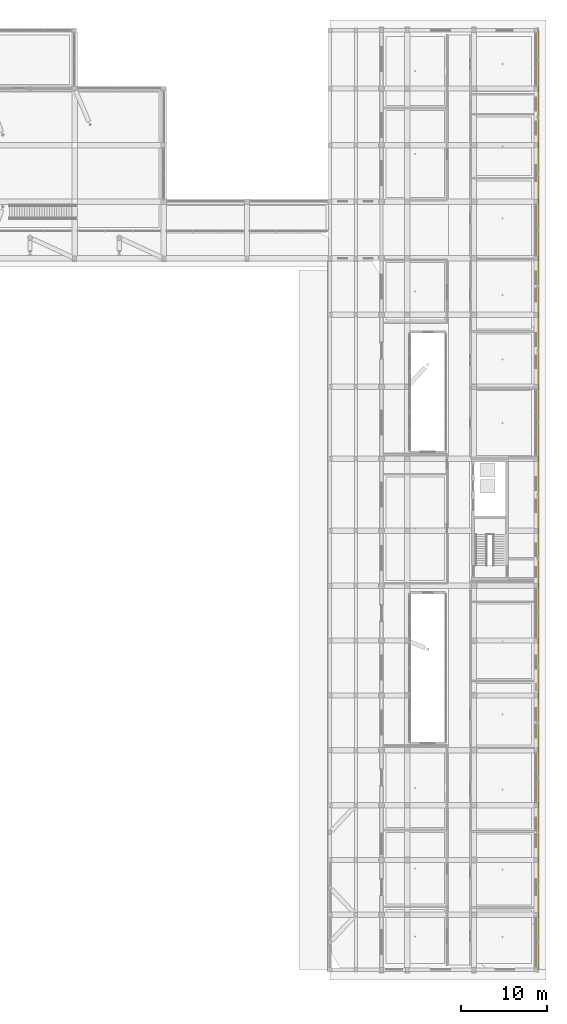
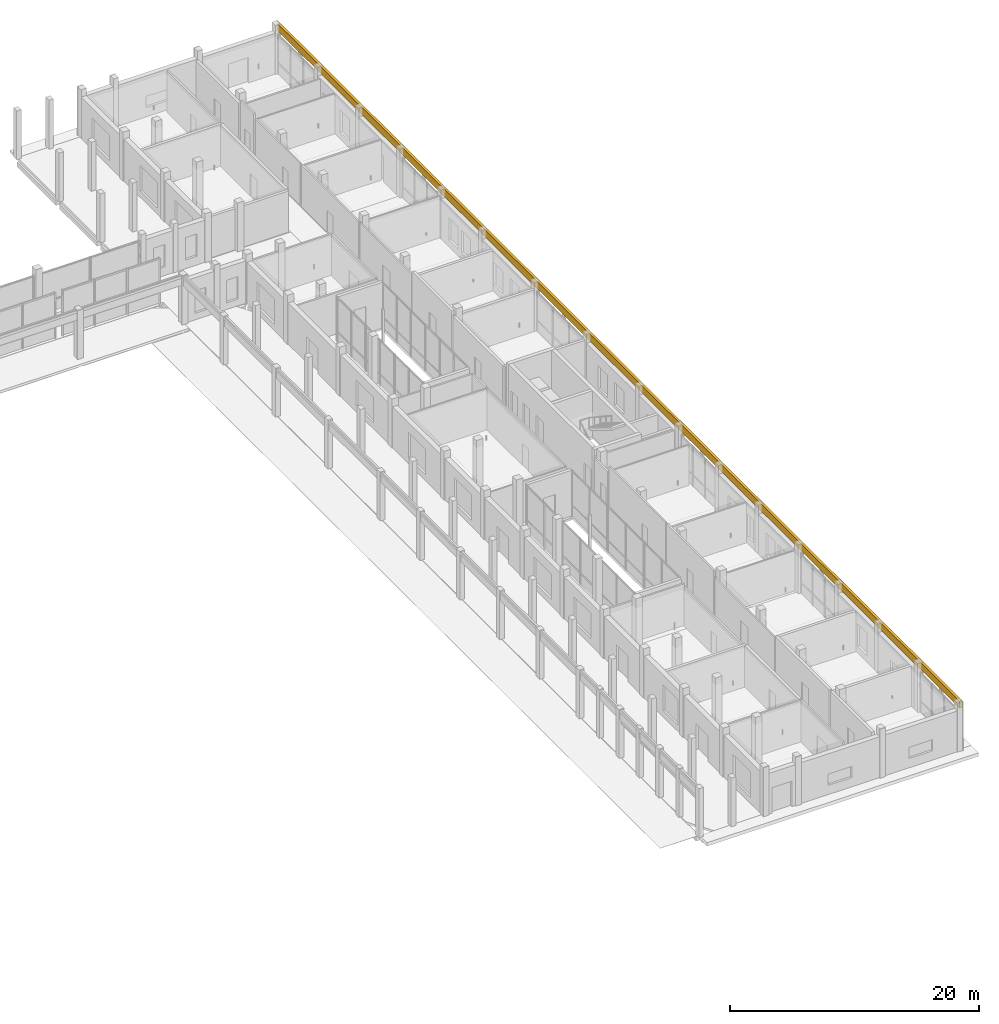
# One storey, part 86 of 88: 1 covering.
"""IFC4 building model written with IfcOpenShell, lengths in metres."""

from ifc_helpers import new_model, si_unit, derived_unit, direction, frame, origin, origin_2d, place, context, subcontext, project, spatial, rectangle, extrude, material, layer, layer_set, type_object, element, save


model = new_model("IFC4")

# Units and contexts
model_context = context("Model", 3, precision=1e-05, world=origin(), true_north=direction((0.0, 1.0)))
body_context = subcontext(model_context, "Body", "Model", "MODEL_VIEW")
ifc_project = project(units=[si_unit("LENGTHUNIT", "METRE"), si_unit("AREAUNIT", "SQUARE_METRE"), si_unit("VOLUMEUNIT", "CUBIC_METRE"), si_unit("PLANEANGLEUNIT", "RADIAN"), si_unit("MASSUNIT", "GRAM", prefix="KILO"), derived_unit("THERMALTRANSMITTANCEUNIT", [(si_unit("POWERUNIT", "WATT"), 1), (si_unit("LENGTHUNIT", "METRE"), -2), (si_unit("THERMODYNAMICTEMPERATUREUNIT", "KELVIN"), -1)])], contexts=[model_context])

# Site, building, storey
site_placement = place(None, origin())
site = spatial("IfcSite", under=ifc_project, at=site_placement, CompositionType="ELEMENT")
building_placement = place(site_placement, origin())
building = spatial("IfcBuilding", under=site, at=building_placement, Name="Braskholm Square Health Centre", CompositionType="ELEMENT")
storey_placement = place(building_placement, origin())
storey = spatial("IfcBuildingStorey", under=building, at=storey_placement, Name="L01", CompositionType="ELEMENT", Elevation=0.0)

# Covering
ifc_material = material(Name="Mankato-Kasota dolomitic limestone ashlar", Category="masonry")
ifc_layer = layer(ifc_material, 0.090087890625)
ifc_layer_set = layer_set([ifc_layer], Name="Mankato-Kasota dolomitic limestone ashlar")
covering_type = type_object("IfcCoveringType", Name="KasotaAshlarBaseCladding", PredefinedType="CLADDING", material=ifc_layer_set)
covering_placement = place(storey_placement, frame((164.050048828125, 59.0, 4.0), z_axis=(0.0, 0.0, 1.0), x_axis=(1.0, 0.0, 0.0)))
element("IfcCovering", 1, at=covering_placement, inside=storey, type_object=covering_type, Name="Classical Art Deco architectural trim 0899", PredefinedType="CLADDING", context=body_context, shape_type="SweptSolid", body=[
    extrude(rectangle(XDim=0.239990234375, YDim=109.60009765625, at=origin_2d()), origin(), (0.0, 0.0, 1.0), 0.699951171875),
])

save(model, "model.ifc")
